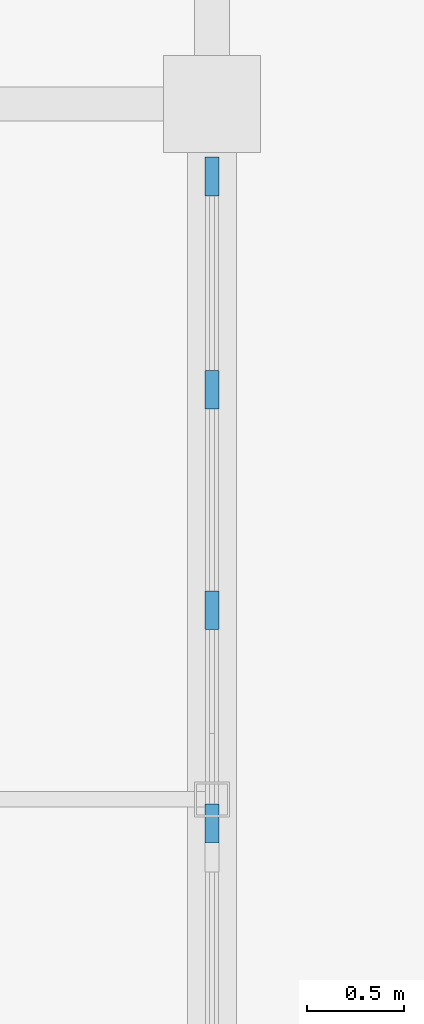
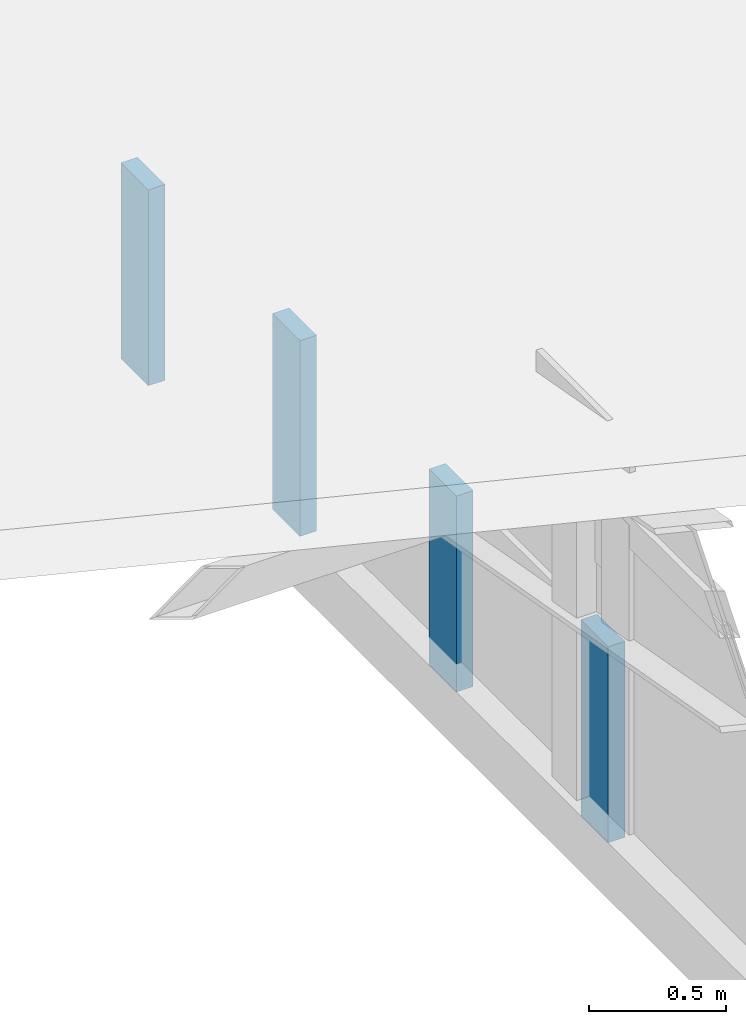
# One storey, part 58 of 105: 4 members, 1 element without a shape of its own.
"""IFC4 building model written with IfcOpenShell, lengths in metres."""

from ifc_helpers import new_model, si_unit, direction, frame, origin, origin_2d, place, context, subcontext, project, spatial, rectangle, extrude, material, material_profile, profile_set, type_object, element, aggregate, save


model = new_model("IFC4")

# Units and contexts
model_context = context("Model", 3, precision=1e-05, world=origin(), true_north=direction((0.0, 1.0)))
body_context = subcontext(model_context, "Body", "Model", "MODEL_VIEW")
ifc_project = project(units=[si_unit("LENGTHUNIT", "METRE"), si_unit("AREAUNIT", "SQUARE_METRE"), si_unit("VOLUMEUNIT", "CUBIC_METRE"), si_unit("PLANEANGLEUNIT", "RADIAN"), si_unit("MASSUNIT", "GRAM", prefix="KILO")], contexts=[model_context])

# Site, building, storey
site_placement = place(None, origin())
site = spatial("IfcSite", under=ifc_project, at=site_placement, CompositionType="ELEMENT")
building_placement = place(site_placement, origin())
building = spatial("IfcBuilding", under=site, at=building_placement, Name="Corveleigh Park Community Centre", CompositionType="ELEMENT")
storey_placement = place(building_placement, frame((0.0, 0.0, 8.699951171875)))
storey = spatial("IfcBuildingStorey", under=building, at=storey_placement, Name="L02", CompositionType="ELEMENT", Elevation=8.699951171875)

# Curtain wall, members
ifc_material = material(Name="Anodised aluminium 6063-T6", Category="aluminium")
curtain_wall_type = type_object("IfcCurtainWallType", Name="CW-SYS-V2-HALL", PredefinedType="NOTDEFINED", material=ifc_material)
curtain_wall_placement = place(storey_placement, origin())
curtain_wall = element("IfcCurtainWall", 1, at=curtain_wall_placement, inside=storey, type_object=curtain_wall_type, Name="Sports Hall E Gable Clerestory 6", PredefinedType="NOTDEFINED")
ifc_material_profile = material_profile(ifc_material, rectangle(XDim=0.070068359375, YDim=0.199951171875, at=origin_2d()), Name="ALU-M70x200", Category="aluminium")
ifc_profile_set = profile_set([ifc_material_profile], Name="Anodised aluminium 6063-T6")
member_type = type_object("IfcMemberType", Name="CWM-70x200", PredefinedType="MULLION", material=ifc_profile_set)
member_1_placement = place(storey_placement, frame((54.39990234375, 114.02490234375, 0.0), z_axis=(0.0, 0.0, 1.0), x_axis=(1.0, 0.0, 0.0)))
member_1 = element("IfcMember", 2, at=member_1_placement, type_object=member_type, Name="CW04 mullion 1", PredefinedType="MULLION", context=body_context, shape_type="SweptSolid", body=[
    extrude(rectangle(XDim=0.070068359375, YDim=0.199951171875, at=origin_2d()), origin(), (0.0, 0.0, 1.0), 0.87109375),
])
member_2_placement = place(storey_placement, frame((54.39990234375, 112.919921875, 0.0), z_axis=(0.0, 0.0, 1.0), x_axis=(1.0, 0.0, 0.0)))
member_2 = element("IfcMember", 3, at=member_2_placement, type_object=member_type, Name="CW04 mullion 2", PredefinedType="MULLION", context=body_context, shape_type="SweptSolid", body=[
    extrude(rectangle(XDim=0.070068359375, YDim=0.199951171875, at=origin_2d()), origin(), (0.0, 0.0, 1.0), 0.87109375),
])
member_3_placement = place(storey_placement, frame((54.39990234375, 111.780029296875, 0.0), z_axis=(0.0, 0.0, 1.0), x_axis=(1.0, 0.0, 0.0)))
member_3 = element("IfcMember", 4, at=member_3_placement, type_object=member_type, Name="CW04 mullion 3", PredefinedType="MULLION", context=body_context, shape_type="SweptSolid", body=[
    extrude(rectangle(XDim=0.070068359375, YDim=0.199951171875, at=origin_2d()), origin(), (0.0, 0.0, 1.0), 0.87109375),
])
member_4_placement = place(storey_placement, frame((54.39990234375, 110.675048828125, 0.0), z_axis=(0.0, 0.0, 1.0), x_axis=(1.0, 0.0, 0.0)))
member_4 = element("IfcMember", 5, at=member_4_placement, type_object=member_type, Name="CW04 mullion 4", PredefinedType="MULLION", context=body_context, shape_type="SweptSolid", body=[
    extrude(rectangle(XDim=0.070068359375, YDim=0.199951171875, at=origin_2d()), origin(), (0.0, 0.0, 1.0), 0.87109375),
])
aggregate(curtain_wall, [member_1, member_2, member_3, member_4])

save(model, "model.ifc")
